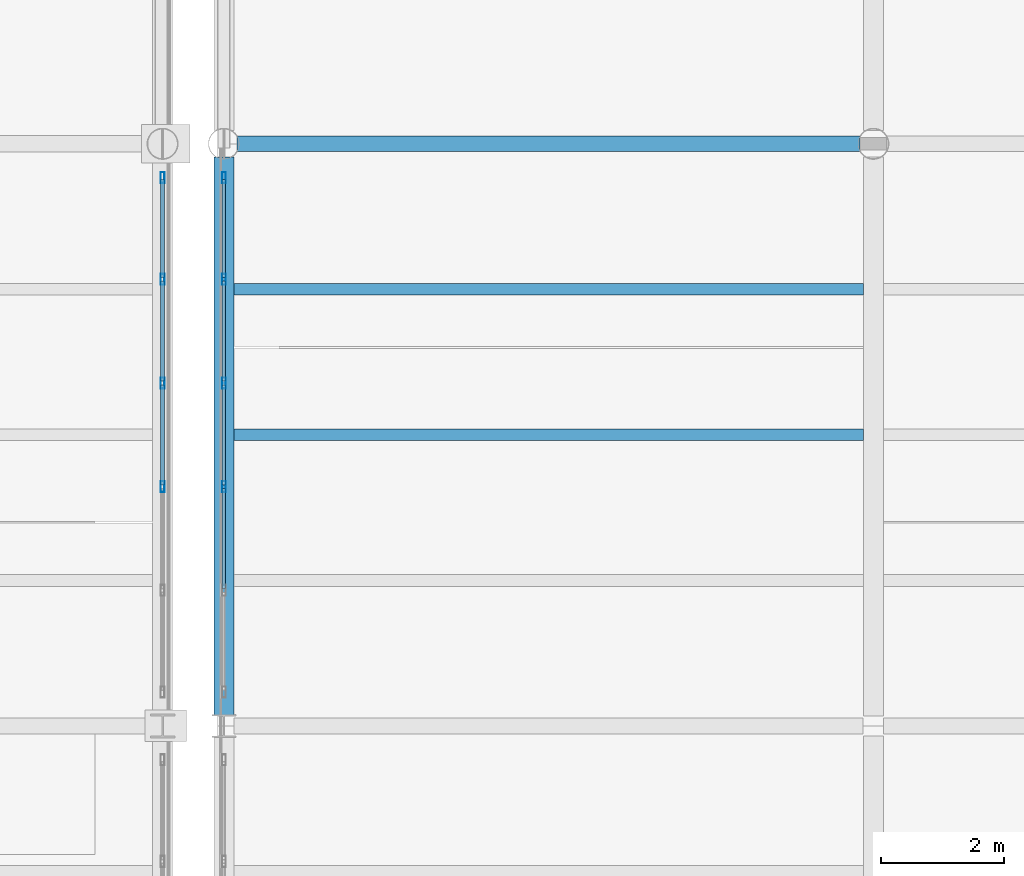
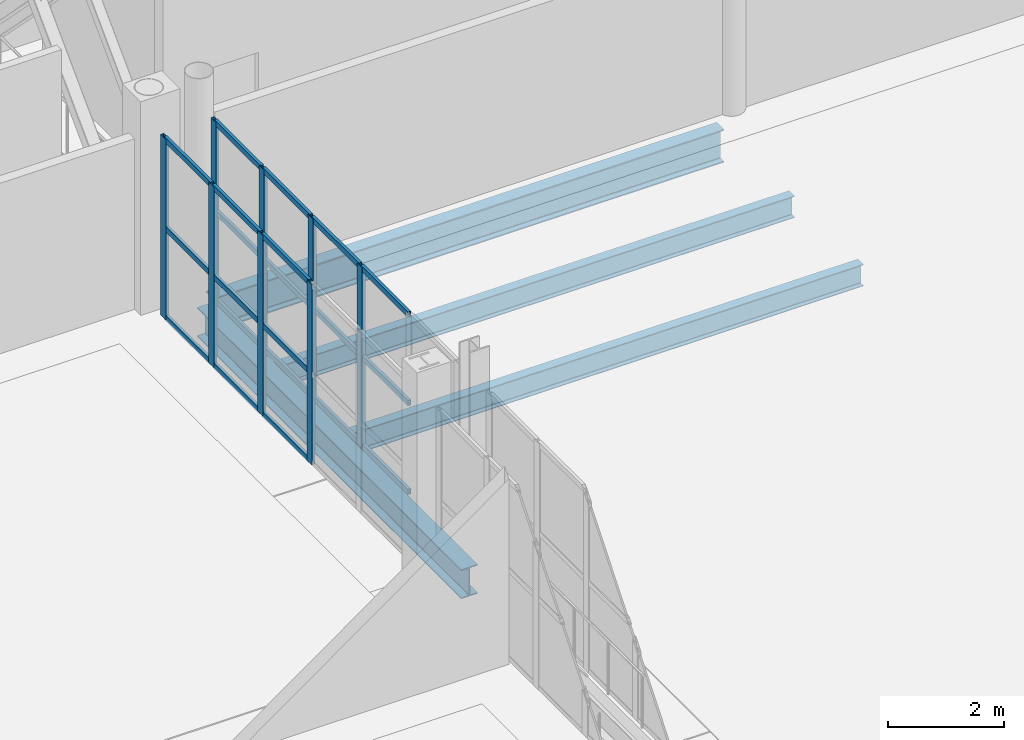
# One storey, part 38 of 156: 29 members, 4 beams, 2 elements without a shape of their own.
"""IFC4 building model written with IfcOpenShell, lengths in metres."""

from ifc_helpers import new_model, si_unit, direction, frame, origin, origin_2d, place, context, subcontext, project, spatial, hollow_rectangle, i_section, extrude, material, material_profile, profile_set, type_object, element, aggregate, save


model = new_model("IFC4")

# Units and contexts
model_context = context("Model", 3, precision=1e-05, world=origin(), true_north=direction((0.0, 1.0)))
body_context = subcontext(model_context, "Body", "Model", "MODEL_VIEW")
ifc_project = project(units=[si_unit("LENGTHUNIT", "METRE"), si_unit("AREAUNIT", "SQUARE_METRE"), si_unit("VOLUMEUNIT", "CUBIC_METRE"), si_unit("PLANEANGLEUNIT", "RADIAN"), si_unit("MASSUNIT", "GRAM", prefix="KILO")], contexts=[model_context])

# Site, building, storey
site_placement = place(None, origin())
site = spatial("IfcSite", under=ifc_project, at=site_placement, CompositionType="ELEMENT")
building_placement = place(site_placement, origin())
building = spatial("IfcBuilding", under=site, at=building_placement, Name="Caurita Quay Ferry Terminal", CompositionType="ELEMENT")
storey_placement = place(building_placement, frame((0.0, 0.0, 5.39990234375)))
storey = spatial("IfcBuildingStorey", under=building, at=storey_placement, Name="L01", CompositionType="ELEMENT", Elevation=5.39990234375)

# Beams
ifc_material_1 = material(Name="Structural steel ASTM A992 Gr. 50", Category="steel")
ifc_material_profile_1 = material_profile(ifc_material_1, i_section(OverallWidth=0.3251953125, OverallDepth=0.612060546875, WebThickness=0.0126953125, FlangeThickness=0.01904296875, FilletRadius=0.01513671875, at=origin_2d()), Name="W24X104")
ifc_profile_set_1 = profile_set([ifc_material_profile_1], Name="Structural steel ASTM A992 Gr. 50")
beam_type_1 = type_object("IfcBeamType", Name="BM-GR-W24A", PredefinedType="BEAM", material=ifc_profile_set_1)
beam_1_placement = place(storey_placement, frame((88.60009765625, 53.3671875, -0.60595703125), z_axis=(0.0, 1.0, 0.0), x_axis=(-1.0, 0.0, 0.0)))
element("IfcBeam", 1, at=beam_1_placement, inside=storey, type_object=beam_type_1, Name="L01 Beam BM-V2-L01-Y-886-534", PredefinedType="BEAM", context=body_context, shape_type="SweptSolid", body=[
    extrude(i_section(OverallWidth=0.3251953125, OverallDepth=0.612060546875, WebThickness=0.0126953125, FlangeThickness=0.01904296875, FilletRadius=0.01513671875, at=origin_2d()), origin(), (0.0, 0.0, 1.0), 9.116943359375),
])
ifc_material_profile_2 = material_profile(ifc_material_1, i_section(OverallWidth=0.256591796875, OverallDepth=0.693359375, WebThickness=0.014404296875, FlangeThickness=0.023681640625, FilletRadius=0.017822265625, at=origin_2d()), Name="W27X114")
ifc_profile_set_2 = profile_set([ifc_material_profile_2], Name="Structural steel ASTM A992 Gr. 50")
beam_type_2 = type_object("IfcBeamType", Name="BM-GR-W27A", PredefinedType="BEAM", material=ifc_profile_set_2)
beam_2_placement = place(storey_placement, frame((88.81591796875, 62.699951171875, -0.646484375), z_axis=(1.0, 0.0, 0.0), x_axis=(0.0, 1.0, 0.0)))
element("IfcBeam", 2, at=beam_2_placement, inside=storey, type_object=beam_type_2, Name="L01 Beam BM-V2-L01-X-888-627", PredefinedType="BEAM", context=body_context, shape_type="SweptSolid", body=[
    extrude(i_section(OverallWidth=0.256591796875, OverallDepth=0.693359375, WebThickness=0.014404296875, FlangeThickness=0.023681640625, FilletRadius=0.017822265625, at=origin_2d()), origin(), (0.0, 0.0, 1.0), 10.168212890625),
])
ifc_material_profile_3 = material_profile(ifc_material_1, i_section(OverallWidth=0.1904296875, OverallDepth=0.457275390625, WebThickness=0.009033203125, FlangeThickness=0.014404296875, FilletRadius=0.0126953125, at=origin_2d()), Name="W18X50")
ifc_profile_set_3 = profile_set([ifc_material_profile_3], Name="Structural steel ASTM A992 Gr. 50")
beam_type_3 = type_object("IfcBeamType", Name="BM-JS-W18B", PredefinedType="JOIST", material=ifc_profile_set_3)
for number, where, z_axis, x_axis, name in (
    (3, (88.762451171875, 57.949951171875, -0.528564453125), (1.0, 0.0, 0.0), (0.0, 1.0, 0.0), "L01 Beam JS-V2-L01-008"),
    (4, (88.762451171875, 60.324951171875, -0.528564453125), (1.0, 0.0, 0.0), (0.0, 1.0, 0.0), "L01 Beam JS-V2-L01-009"),
):
    element("IfcBeam", number, at=place(storey_placement, frame(where, z_axis=z_axis, x_axis=x_axis)), inside=storey, type_object=beam_type_3, Name=name, PredefinedType="JOIST", context=body_context, shape_type="SweptSolid", body=[
        extrude(i_section(OverallWidth=0.1904296875, OverallDepth=0.457275390625, WebThickness=0.009033203125, FlangeThickness=0.014404296875, FilletRadius=0.0126953125, at=origin_2d()), origin(), (0.0, 0.0, 1.0), 10.275146484375),
    ])

# Curtain wall, members
ifc_material_2 = material(Name="Laminated solar-control insulated glass", Category="glass")
curtain_wall_type = type_object("IfcCurtainWallType", Name="CW-SYS-12", PredefinedType="NOTDEFINED", material=ifc_material_2)
curtain_wall_1_placement = place(storey_placement, origin())
curtain_wall_1 = element("IfcCurtainWall", 5, at=curtain_wall_1_placement, inside=storey, type_object=curtain_wall_type, Name="Concourse Gable Curtain Wall 082", PredefinedType="NOTDEFINED")
ifc_material_3 = material(Name="Anodized aluminium 6063-T6", Category="aluminium")
ifc_material_profile_4 = material_profile(ifc_material_3, hollow_rectangle(XDim=0.06494140625, YDim=0.179931640625, WallThickness=0.00390625, at=origin_2d()), Name="ALU-MUL-65X180")
ifc_profile_set_4 = profile_set([ifc_material_profile_4], Name="Anodized aluminium 6063-T6")
member_type_1 = type_object("IfcMemberType", Name="CW-MUL-180", PredefinedType="MULLION", material=ifc_profile_set_4)
member_1_placement = place(storey_placement, frame((87.60009765625, 57.10400390625, 0.0), z_axis=(0.0, 0.0, 1.0), x_axis=(-1.0, 0.0, 0.0)))
member_1 = element("IfcMember", 6, at=member_1_placement, type_object=member_type_1, Name="CW-GBL-082 Mullion 3", PredefinedType="MULLION", context=body_context, shape_type="SweptSolid", body=[
    extrude(hollow_rectangle(XDim=0.06494140625, YDim=0.179931640625, WallThickness=0.00390625, at=origin_2d()), origin(), (0.0, 0.0, 1.0), 3.800048828125),
])
member_2_placement = place(storey_placement, frame((87.60009765625, 58.7958984375, 0.0), z_axis=(0.0, 0.0, 1.0), x_axis=(-1.0, 0.0, 0.0)))
member_2 = element("IfcMember", 7, at=member_2_placement, type_object=member_type_1, Name="CW-GBL-082 Mullion 4", PredefinedType="MULLION", context=body_context, shape_type="SweptSolid", body=[
    extrude(hollow_rectangle(XDim=0.06494140625, YDim=0.179931640625, WallThickness=0.00390625, at=origin_2d()), origin(), (0.0, 0.0, 1.0), 3.800048828125),
])
member_3_placement = place(storey_placement, frame((87.60009765625, 60.488037109375, 0.0), z_axis=(0.0, 0.0, 1.0), x_axis=(-1.0, 0.0, 0.0)))
member_3 = element("IfcMember", 8, at=member_3_placement, type_object=member_type_1, Name="CW-GBL-082 Mullion 5", PredefinedType="MULLION", context=body_context, shape_type="SweptSolid", body=[
    extrude(hollow_rectangle(XDim=0.06494140625, YDim=0.179931640625, WallThickness=0.00390625, at=origin_2d()), origin(), (0.0, 0.0, 1.0), 3.800048828125),
])
member_4_placement = place(storey_placement, frame((87.60009765625, 62.1474609375, 0.0), z_axis=(0.0, 0.0, 1.0), x_axis=(-1.0, 0.0, 0.0)))
member_4 = element("IfcMember", 9, at=member_4_placement, type_object=member_type_1, Name="CW-GBL-082 Mullion 6", PredefinedType="MULLION", context=body_context, shape_type="SweptSolid", body=[
    extrude(hollow_rectangle(XDim=0.06494140625, YDim=0.179931640625, WallThickness=0.00390625, at=origin_2d()), origin(), (0.0, 0.0, 1.0), 3.800048828125),
])

curtain_wall_2_placement = place(storey_placement, origin())
curtain_wall_2 = element("IfcCurtainWall", 10, at=curtain_wall_2_placement, inside=storey, type_object=curtain_wall_type, Name="Concourse Gable Curtain Wall 085", PredefinedType="NOTDEFINED")
member_5_placement = place(storey_placement, frame((88.60009765625, 57.10400390625, 0.0), z_axis=(0.0, 0.0, 1.0), x_axis=(-1.0, 0.0, 0.0)))
member_5 = element("IfcMember", 11, at=member_5_placement, type_object=member_type_1, Name="CW-GBL-085 Mullion 3", PredefinedType="MULLION", context=body_context, shape_type="SweptSolid", body=[
    extrude(hollow_rectangle(XDim=0.06494140625, YDim=0.179931640625, WallThickness=0.00390625, at=origin_2d()), origin(), (0.0, 0.0, 1.0), 3.800048828125),
])
member_6_placement = place(storey_placement, frame((88.60009765625, 58.7958984375, 0.0), z_axis=(0.0, 0.0, 1.0), x_axis=(-1.0, 0.0, 0.0)))
member_6 = element("IfcMember", 12, at=member_6_placement, type_object=member_type_1, Name="CW-GBL-085 Mullion 4", PredefinedType="MULLION", context=body_context, shape_type="SweptSolid", body=[
    extrude(hollow_rectangle(XDim=0.06494140625, YDim=0.179931640625, WallThickness=0.00390625, at=origin_2d()), origin(), (0.0, 0.0, 1.0), 3.800048828125),
])
member_7_placement = place(storey_placement, frame((88.60009765625, 60.488037109375, 0.0), z_axis=(0.0, 0.0, 1.0), x_axis=(-1.0, 0.0, 0.0)))
member_7 = element("IfcMember", 13, at=member_7_placement, type_object=member_type_1, Name="CW-GBL-085 Mullion 5", PredefinedType="MULLION", context=body_context, shape_type="SweptSolid", body=[
    extrude(hollow_rectangle(XDim=0.06494140625, YDim=0.179931640625, WallThickness=0.00390625, at=origin_2d()), origin(), (0.0, 0.0, 1.0), 3.800048828125),
])
member_8_placement = place(storey_placement, frame((88.60009765625, 62.1474609375, 0.0), z_axis=(0.0, 0.0, 1.0), x_axis=(-1.0, 0.0, 0.0)))
member_8 = element("IfcMember", 14, at=member_8_placement, type_object=member_type_1, Name="CW-GBL-085 Mullion 6", PredefinedType="MULLION", context=body_context, shape_type="SweptSolid", body=[
    extrude(hollow_rectangle(XDim=0.06494140625, YDim=0.179931640625, WallThickness=0.00390625, at=origin_2d()), origin(), (0.0, 0.0, 1.0), 3.800048828125),
])

# Member
ifc_material_profile_5 = material_profile(ifc_material_3, hollow_rectangle(XDim=0.06005859375, YDim=0.114990234375, WallThickness=0.00341796875, at=origin_2d()), Name="ALU-TRN-60X115")
ifc_profile_set_5 = profile_set([ifc_material_profile_5], Name="Anodized aluminium 6063-T6")
member_type_2 = type_object("IfcMemberType", Name="CW-TRN-115", PredefinedType="USERDEFINED", material=ifc_profile_set_5)
member_9_placement = place(storey_placement, frame((87.60009765625, 57.134521484375, 0.030029296875), z_axis=(0.0, 1.0, 0.0), x_axis=(-1.0, 0.0, 0.0)))
member_9 = element("IfcMember", 15, at=member_9_placement, type_object=member_type_2, Name="CW-GBL-082 Transom 7", ObjectType="TRANSOM", PredefinedType="USERDEFINED", context=body_context, shape_type="SweptSolid", body=[
    extrude(hollow_rectangle(XDim=0.06005859375, YDim=0.114990234375, WallThickness=0.00341796875, at=origin_2d()), origin(), (0.0, 0.0, 1.0), 1.630859375),
])

member_10_placement = place(storey_placement, frame((87.60009765625, 57.134521484375, 1.900146484375), z_axis=(0.0, 1.0, 0.0), x_axis=(-1.0, 0.0, 0.0)))
member_10 = element("IfcMember", 16, at=member_10_placement, type_object=member_type_2, Name="CW-GBL-082 Transom 8", ObjectType="TRANSOM", PredefinedType="USERDEFINED", context=body_context, shape_type="SweptSolid", body=[
    extrude(hollow_rectangle(XDim=0.06005859375, YDim=0.114990234375, WallThickness=0.00341796875, at=origin_2d()), origin(), (0.0, 0.0, 1.0), 1.630859375),
])

member_11_placement = place(storey_placement, frame((87.60009765625, 57.134521484375, 3.77001953125), z_axis=(0.0, 1.0, 0.0), x_axis=(-1.0, 0.0, 0.0)))
member_11 = element("IfcMember", 17, at=member_11_placement, type_object=member_type_2, Name="CW-GBL-082 Transom 9", ObjectType="TRANSOM", PredefinedType="USERDEFINED", context=body_context, shape_type="SweptSolid", body=[
    extrude(hollow_rectangle(XDim=0.06005859375, YDim=0.114990234375, WallThickness=0.00341796875, at=origin_2d()), origin(), (0.0, 0.0, 1.0), 1.630859375),
])

member_12_placement = place(storey_placement, frame((87.60009765625, 58.826416015625, 0.030029296875), z_axis=(0.0, 1.0, 0.0), x_axis=(-1.0, 0.0, 0.0)))
member_12 = element("IfcMember", 18, at=member_12_placement, type_object=member_type_2, Name="CW-GBL-082 Transom 10", ObjectType="TRANSOM", PredefinedType="USERDEFINED", context=body_context, shape_type="SweptSolid", body=[
    extrude(hollow_rectangle(XDim=0.06005859375, YDim=0.114990234375, WallThickness=0.00341796875, at=origin_2d()), origin(), (0.0, 0.0, 1.0), 1.631103515625),
])

member_13_placement = place(storey_placement, frame((87.60009765625, 58.826416015625, 1.900146484375), z_axis=(0.0, 1.0, 0.0), x_axis=(-1.0, 0.0, 0.0)))
member_13 = element("IfcMember", 19, at=member_13_placement, type_object=member_type_2, Name="CW-GBL-082 Transom 11", ObjectType="TRANSOM", PredefinedType="USERDEFINED", context=body_context, shape_type="SweptSolid", body=[
    extrude(hollow_rectangle(XDim=0.06005859375, YDim=0.114990234375, WallThickness=0.00341796875, at=origin_2d()), origin(), (0.0, 0.0, 1.0), 1.631103515625),
])

member_14_placement = place(storey_placement, frame((87.60009765625, 58.826416015625, 3.77001953125), z_axis=(0.0, 1.0, 0.0), x_axis=(-1.0, 0.0, 0.0)))
member_14 = element("IfcMember", 20, at=member_14_placement, type_object=member_type_2, Name="CW-GBL-082 Transom 12", ObjectType="TRANSOM", PredefinedType="USERDEFINED", context=body_context, shape_type="SweptSolid", body=[
    extrude(hollow_rectangle(XDim=0.06005859375, YDim=0.114990234375, WallThickness=0.00341796875, at=origin_2d()), origin(), (0.0, 0.0, 1.0), 1.631103515625),
])

member_15_placement = place(storey_placement, frame((87.60009765625, 60.5185546875, 0.030029296875), z_axis=(0.0, 1.0, 0.0), x_axis=(-1.0, 0.0, 0.0)))
member_15 = element("IfcMember", 21, at=member_15_placement, type_object=member_type_2, Name="CW-GBL-082 Transom 13", ObjectType="TRANSOM", PredefinedType="USERDEFINED", context=body_context, shape_type="SweptSolid", body=[
    extrude(hollow_rectangle(XDim=0.06005859375, YDim=0.114990234375, WallThickness=0.00341796875, at=origin_2d()), origin(), (0.0, 0.0, 1.0), 1.598388671875),
])

member_16_placement = place(storey_placement, frame((87.60009765625, 60.5185546875, 1.900146484375), z_axis=(0.0, 1.0, 0.0), x_axis=(-1.0, 0.0, 0.0)))
member_16 = element("IfcMember", 22, at=member_16_placement, type_object=member_type_2, Name="CW-GBL-082 Transom 14", ObjectType="TRANSOM", PredefinedType="USERDEFINED", context=body_context, shape_type="SweptSolid", body=[
    extrude(hollow_rectangle(XDim=0.06005859375, YDim=0.114990234375, WallThickness=0.00341796875, at=origin_2d()), origin(), (0.0, 0.0, 1.0), 1.598388671875),
])

member_17_placement = place(storey_placement, frame((87.60009765625, 60.5185546875, 3.77001953125), z_axis=(0.0, 1.0, 0.0), x_axis=(-1.0, 0.0, 0.0)))
member_17 = element("IfcMember", 23, at=member_17_placement, type_object=member_type_2, Name="CW-GBL-082 Transom 15", ObjectType="TRANSOM", PredefinedType="USERDEFINED", context=body_context, shape_type="SweptSolid", body=[
    extrude(hollow_rectangle(XDim=0.06005859375, YDim=0.114990234375, WallThickness=0.00341796875, at=origin_2d()), origin(), (0.0, 0.0, 1.0), 1.598388671875),
])

aggregate(curtain_wall_1, [member_1, member_2, member_3, member_4, member_9, member_10, member_11, member_12, member_13, member_14, member_15, member_16, member_17])

member_18_placement = place(storey_placement, frame((88.60009765625, 55.4423828125, 0.030029296875), z_axis=(0.0, 1.0, 0.0), x_axis=(-1.0, 0.0, 0.0)))
member_18 = element("IfcMember", 24, at=member_18_placement, type_object=member_type_2, Name="CW-GBL-085 Transom 4", ObjectType="TRANSOM", PredefinedType="USERDEFINED", context=body_context, shape_type="SweptSolid", body=[
    extrude(hollow_rectangle(XDim=0.06005859375, YDim=0.114990234375, WallThickness=0.00341796875, at=origin_2d()), origin(), (0.0, 0.0, 1.0), 1.631103515625),
])

member_19_placement = place(storey_placement, frame((88.60009765625, 55.4423828125, 1.900146484375), z_axis=(0.0, 1.0, 0.0), x_axis=(-1.0, 0.0, 0.0)))
member_19 = element("IfcMember", 25, at=member_19_placement, type_object=member_type_2, Name="CW-GBL-085 Transom 5", ObjectType="TRANSOM", PredefinedType="USERDEFINED", context=body_context, shape_type="SweptSolid", body=[
    extrude(hollow_rectangle(XDim=0.06005859375, YDim=0.114990234375, WallThickness=0.00341796875, at=origin_2d()), origin(), (0.0, 0.0, 1.0), 1.631103515625),
])

member_20_placement = place(storey_placement, frame((88.60009765625, 55.4423828125, 3.77001953125), z_axis=(0.0, 1.0, 0.0), x_axis=(-1.0, 0.0, 0.0)))
member_20 = element("IfcMember", 26, at=member_20_placement, type_object=member_type_2, Name="CW-GBL-085 Transom 6", ObjectType="TRANSOM", PredefinedType="USERDEFINED", context=body_context, shape_type="SweptSolid", body=[
    extrude(hollow_rectangle(XDim=0.06005859375, YDim=0.114990234375, WallThickness=0.00341796875, at=origin_2d()), origin(), (0.0, 0.0, 1.0), 1.631103515625),
])

member_21_placement = place(storey_placement, frame((88.60009765625, 57.134521484375, 0.030029296875), z_axis=(0.0, 1.0, 0.0), x_axis=(-1.0, 0.0, 0.0)))
member_21 = element("IfcMember", 27, at=member_21_placement, type_object=member_type_2, Name="CW-GBL-085 Transom 7", ObjectType="TRANSOM", PredefinedType="USERDEFINED", context=body_context, shape_type="SweptSolid", body=[
    extrude(hollow_rectangle(XDim=0.06005859375, YDim=0.114990234375, WallThickness=0.00341796875, at=origin_2d()), origin(), (0.0, 0.0, 1.0), 1.630859375),
])

member_22_placement = place(storey_placement, frame((88.60009765625, 57.134521484375, 1.900146484375), z_axis=(0.0, 1.0, 0.0), x_axis=(-1.0, 0.0, 0.0)))
member_22 = element("IfcMember", 28, at=member_22_placement, type_object=member_type_2, Name="CW-GBL-085 Transom 8", ObjectType="TRANSOM", PredefinedType="USERDEFINED", context=body_context, shape_type="SweptSolid", body=[
    extrude(hollow_rectangle(XDim=0.06005859375, YDim=0.114990234375, WallThickness=0.00341796875, at=origin_2d()), origin(), (0.0, 0.0, 1.0), 1.630859375),
])

member_23_placement = place(storey_placement, frame((88.60009765625, 57.134521484375, 3.77001953125), z_axis=(0.0, 1.0, 0.0), x_axis=(-1.0, 0.0, 0.0)))
member_23 = element("IfcMember", 29, at=member_23_placement, type_object=member_type_2, Name="CW-GBL-085 Transom 9", ObjectType="TRANSOM", PredefinedType="USERDEFINED", context=body_context, shape_type="SweptSolid", body=[
    extrude(hollow_rectangle(XDim=0.06005859375, YDim=0.114990234375, WallThickness=0.00341796875, at=origin_2d()), origin(), (0.0, 0.0, 1.0), 1.630859375),
])

member_24_placement = place(storey_placement, frame((88.60009765625, 58.826416015625, 0.030029296875), z_axis=(0.0, 1.0, 0.0), x_axis=(-1.0, 0.0, 0.0)))
member_24 = element("IfcMember", 30, at=member_24_placement, type_object=member_type_2, Name="CW-GBL-085 Transom 10", ObjectType="TRANSOM", PredefinedType="USERDEFINED", context=body_context, shape_type="SweptSolid", body=[
    extrude(hollow_rectangle(XDim=0.06005859375, YDim=0.114990234375, WallThickness=0.00341796875, at=origin_2d()), origin(), (0.0, 0.0, 1.0), 1.631103515625),
])

member_25_placement = place(storey_placement, frame((88.60009765625, 58.826416015625, 1.900146484375), z_axis=(0.0, 1.0, 0.0), x_axis=(-1.0, 0.0, 0.0)))
member_25 = element("IfcMember", 31, at=member_25_placement, type_object=member_type_2, Name="CW-GBL-085 Transom 11", ObjectType="TRANSOM", PredefinedType="USERDEFINED", context=body_context, shape_type="SweptSolid", body=[
    extrude(hollow_rectangle(XDim=0.06005859375, YDim=0.114990234375, WallThickness=0.00341796875, at=origin_2d()), origin(), (0.0, 0.0, 1.0), 1.631103515625),
])

member_26_placement = place(storey_placement, frame((88.60009765625, 58.826416015625, 3.77001953125), z_axis=(0.0, 1.0, 0.0), x_axis=(-1.0, 0.0, 0.0)))
member_26 = element("IfcMember", 32, at=member_26_placement, type_object=member_type_2, Name="CW-GBL-085 Transom 12", ObjectType="TRANSOM", PredefinedType="USERDEFINED", context=body_context, shape_type="SweptSolid", body=[
    extrude(hollow_rectangle(XDim=0.06005859375, YDim=0.114990234375, WallThickness=0.00341796875, at=origin_2d()), origin(), (0.0, 0.0, 1.0), 1.631103515625),
])

member_27_placement = place(storey_placement, frame((88.60009765625, 60.5185546875, 0.030029296875), z_axis=(0.0, 1.0, 0.0), x_axis=(-1.0, 0.0, 0.0)))
member_27 = element("IfcMember", 33, at=member_27_placement, type_object=member_type_2, Name="CW-GBL-085 Transom 13", ObjectType="TRANSOM", PredefinedType="USERDEFINED", context=body_context, shape_type="SweptSolid", body=[
    extrude(hollow_rectangle(XDim=0.06005859375, YDim=0.114990234375, WallThickness=0.00341796875, at=origin_2d()), origin(), (0.0, 0.0, 1.0), 1.598388671875),
])

member_28_placement = place(storey_placement, frame((88.60009765625, 60.5185546875, 1.900146484375), z_axis=(0.0, 1.0, 0.0), x_axis=(-1.0, 0.0, 0.0)))
member_28 = element("IfcMember", 34, at=member_28_placement, type_object=member_type_2, Name="CW-GBL-085 Transom 14", ObjectType="TRANSOM", PredefinedType="USERDEFINED", context=body_context, shape_type="SweptSolid", body=[
    extrude(hollow_rectangle(XDim=0.06005859375, YDim=0.114990234375, WallThickness=0.00341796875, at=origin_2d()), origin(), (0.0, 0.0, 1.0), 1.598388671875),
])

member_29_placement = place(storey_placement, frame((88.60009765625, 60.5185546875, 3.77001953125), z_axis=(0.0, 1.0, 0.0), x_axis=(-1.0, 0.0, 0.0)))
member_29 = element("IfcMember", 35, at=member_29_placement, type_object=member_type_2, Name="CW-GBL-085 Transom 15", ObjectType="TRANSOM", PredefinedType="USERDEFINED", context=body_context, shape_type="SweptSolid", body=[
    extrude(hollow_rectangle(XDim=0.06005859375, YDim=0.114990234375, WallThickness=0.00341796875, at=origin_2d()), origin(), (0.0, 0.0, 1.0), 1.598388671875),
])

aggregate(curtain_wall_2, [member_5, member_6, member_7, member_8, member_18, member_19, member_20, member_21, member_22, member_23, member_24, member_25, member_26, member_27, member_28, member_29])

save(model, "model.ifc")
